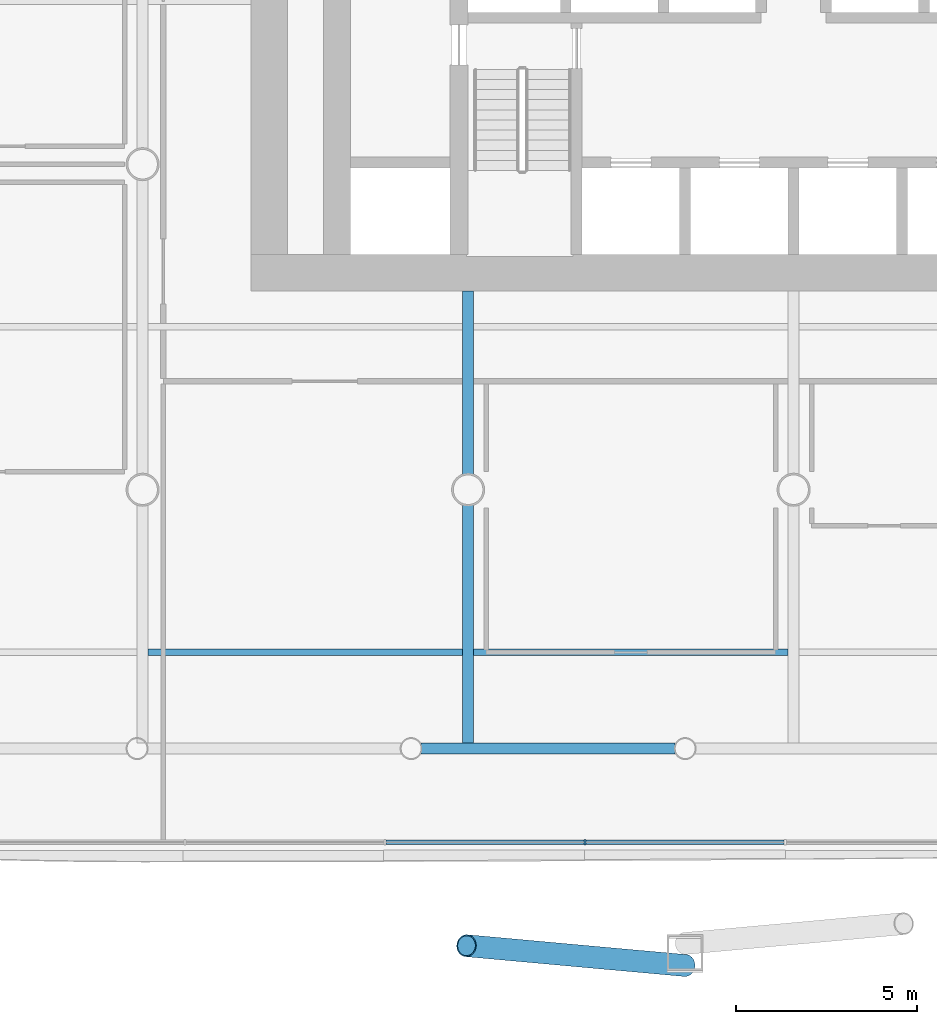
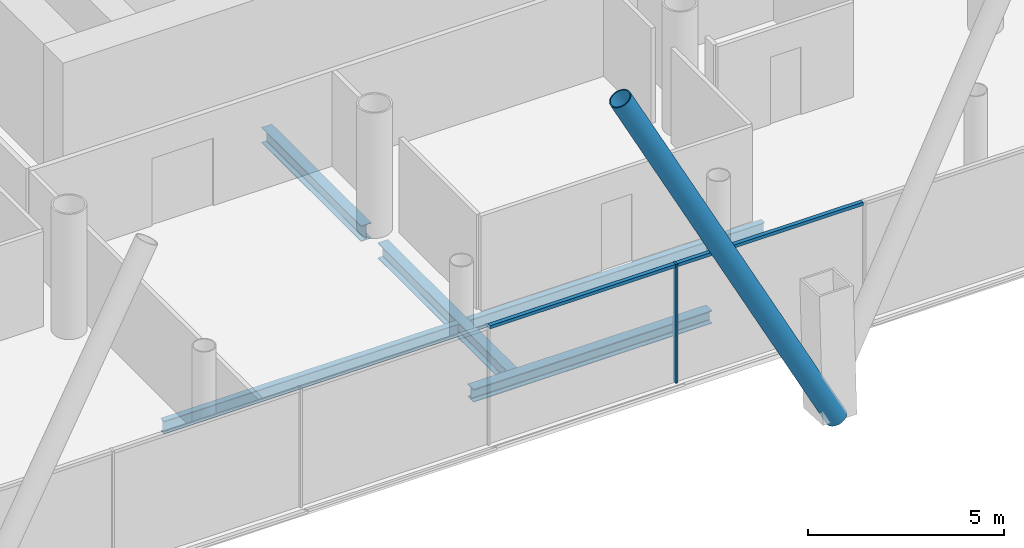
# One storey, part 4 of 25: 5 beams, 4 members, 1 element without a shape of its own.
"""IFC4 building model written with IfcOpenShell, lengths in metres."""

from ifc_helpers import new_model, si_unit, direction, frame, origin, origin_2d, place, context, subcontext, project, spatial, rectangle, hollow_circle, i_section, extrude, material, material_profile, profile_set, type_object, element, aggregate, save


model = new_model("IFC4")

# Units and contexts
model_context = context("Model", 3, precision=1e-05, world=origin(), true_north=direction((0.0, 1.0)))
body_context = subcontext(model_context, "Body", "Model", "MODEL_VIEW")
ifc_project = project(units=[si_unit("LENGTHUNIT", "METRE"), si_unit("AREAUNIT", "SQUARE_METRE"), si_unit("VOLUMEUNIT", "CUBIC_METRE"), si_unit("PLANEANGLEUNIT", "RADIAN"), si_unit("MASSUNIT", "GRAM", prefix="KILO")], contexts=[model_context])

# Site, building, storey
site_placement = place(None, origin())
site = spatial("IfcSite", under=ifc_project, at=site_placement, CompositionType="ELEMENT")
building_placement = place(site_placement, origin())
building = spatial("IfcBuilding", under=site, at=building_placement, Name="Tskaro Facet Tower", CompositionType="ELEMENT")
storey_placement = place(building_placement, frame((0.0, 0.0, 10.800048828125)))
storey = spatial("IfcBuildingStorey", under=building, at=storey_placement, Name="L01", CompositionType="ELEMENT", Elevation=10.800048828125)

# Member
ifc_material_1 = material(Name="Steel S355J2H", Category="steel")
ifc_material_profile_1 = material_profile(ifc_material_1, hollow_circle(Radius=0.304931640625, WallThickness=0.030029296875, at=origin_2d()), Name="CHS 610x30")
ifc_profile_set_1 = profile_set([ifc_material_profile_1], Name="Steel S355J2H")
member_type_1 = type_object("IfcMemberType", Name="CHS 610x30 brace", PredefinedType="BRACE", material=ifc_profile_set_1)
member_1_placement = place(storey_placement, frame((-3.0, -31.155029296875, 0.0), z_axis=(-0.458620204365, 0.041564771349, 0.887659776001), x_axis=(-0.090260117017, -0.995918225195, 0.0)))
element("IfcMember", 1, at=member_1_placement, inside=storey, type_object=member_type_1, Name="CHS 610x30 XB01B/1", PredefinedType="BRACE", context=body_context, shape_type="SweptSolid", body=[
    extrude(hollow_circle(Radius=0.304931640625, WallThickness=0.030029296875, at=origin_2d()), origin(), (0.0, 0.0, 1.0), 13.1806640625),
])

# Curtain wall, members
ifc_material_2 = material(Name="Bronze anodised aluminium 6063-T6", Category="aluminium")
curtain_wall_type = type_object("IfcCurtainWallType", Name="Bronze office curtain wall (FW1)", PredefinedType="NOTDEFINED", material=ifc_material_2)
curtain_wall_placement = place(storey_placement, origin())
curtain_wall = element("IfcCurtainWall", 2, at=curtain_wall_placement, inside=storey, type_object=curtain_wall_type, Name="FW1 south facet L01", PredefinedType="NOTDEFINED")
ifc_material_profile_2 = material_profile(ifc_material_2, rectangle(XDim=0.06005859375, YDim=0.159912109375, at=origin_2d()), Name="Mullion 60x160")
ifc_profile_set_2 = profile_set([ifc_material_profile_2], Name="Bronze anodised aluminium 6063-T6")
member_type_2 = type_object("IfcMemberType", Name="FW1 bronze mullion 60x160", PredefinedType="MULLION", material=ifc_profile_set_2)
member_2_placement = place(storey_placement, frame((-5.76611328125, -27.75, 0.0), z_axis=(0.0, 0.0, 1.0), x_axis=(1.0, 0.0, 0.0)))
member_2 = element("IfcMember", 3, at=member_2_placement, type_object=member_type_2, Name="FW1 south mullion 4", PredefinedType="MULLION", context=body_context, shape_type="SweptSolid", body=[
    extrude(rectangle(XDim=0.06005859375, YDim=0.159912109375, at=origin_2d()), origin(), (0.0, 0.0, 1.0), 3.699951171875),
])
ifc_material_profile_3 = material_profile(ifc_material_2, rectangle(XDim=0.1201171875, YDim=0.10009765625, at=origin_2d()), Name="Transom 120x100")
ifc_profile_set_3 = profile_set([ifc_material_profile_3], Name="Bronze anodised aluminium 6063-T6")
member_type_3 = type_object("IfcMemberType", Name="FW1 bronze transom 120x100", PredefinedType="USERDEFINED", material=ifc_profile_set_3)
member_3_placement = place(storey_placement, frame((-11.2685546875, -27.75, 3.64990234375), z_axis=(1.0, 0.0, 0.0), x_axis=(0.0, 1.0, 0.0)))
member_3 = element("IfcMember", 4, at=member_3_placement, type_object=member_type_3, Name="FW1 south transom 4.1", ObjectType="TRANSOM", PredefinedType="USERDEFINED", context=body_context, shape_type="SweptSolid", body=[
    extrude(rectangle(XDim=0.1201171875, YDim=0.10009765625, at=origin_2d()), origin(), (0.0, 0.0, 1.0), 5.472412109375),
])
member_4_placement = place(storey_placement, frame((-5.736328125, -27.75, 3.64990234375), z_axis=(1.0, 0.0, 0.0), x_axis=(0.0, 1.0, 0.0)))
member_4 = element("IfcMember", 5, at=member_4_placement, type_object=member_type_3, Name="FW1 south transom 5.1", ObjectType="TRANSOM", PredefinedType="USERDEFINED", context=body_context, shape_type="SweptSolid", body=[
    extrude(rectangle(XDim=0.1201171875, YDim=0.10009765625, at=origin_2d()), origin(), (0.0, 0.0, 1.0), 5.47265625),
])
aggregate(curtain_wall, [member_2, member_3, member_4])

# Beams
ifc_material_3 = material(Name="Steel S355J2", Category="steel")
ifc_material_profile_4 = material_profile(ifc_material_3, i_section(OverallWidth=0.300048828125, OverallDepth=0.39990234375, WebThickness=0.013427734375, FlangeThickness=0.02392578125, FilletRadius=0.027099609375, at=origin_2d()), Name="HE 400 B")
ifc_profile_set_4 = profile_set([ifc_material_profile_4], Name="Steel S355J2")
beam_type_1 = type_object("IfcBeamType", Name="HE 400 B ring beam", PredefinedType="BEAM", material=ifc_profile_set_4)
beam_1_placement = place(storey_placement, frame((-10.301025390625, -25.156982421875, -0.340087890625), z_axis=(1.0, 0.0, 0.0), x_axis=(0.0, 1.0, 0.0)))
element("IfcBeam", 6, at=beam_1_placement, inside=storey, type_object=beam_type_1, Name="HE 400 B EB3-1", PredefinedType="BEAM", context=body_context, shape_type="SweptSolid", body=[
    extrude(i_section(OverallWidth=0.300048828125, OverallDepth=0.39990234375, WebThickness=0.013427734375, FlangeThickness=0.02392578125, FilletRadius=0.027099609375, at=origin_2d()), origin(), (0.0, 0.0, 1.0), 7.026123046875),
])
ifc_material_profile_5 = material_profile(ifc_material_3, i_section(OverallWidth=0.300048828125, OverallDepth=0.489990234375, WebThickness=0.011962890625, FlangeThickness=0.02294921875, FilletRadius=0.027099609375, at=origin_2d()), Name="HE 500 A")
ifc_profile_set_5 = profile_set([ifc_material_profile_5], Name="Steel S355J2")
beam_type_2 = type_object("IfcBeamType", Name="HE 500 A girder", PredefinedType="BEAM", material=ifc_profile_set_5)
beam_2_placement = place(storey_placement, frame((-9.0, -25.007080078125, -0.385009765625), z_axis=(0.0, 1.0, 0.0), x_axis=(-1.0, 0.0, 0.0)))
element("IfcBeam", 7, at=beam_2_placement, inside=storey, type_object=beam_type_2, Name="HE 500 A GB3-1-1", PredefinedType="BEAM", context=body_context, shape_type="SweptSolid", body=[
    extrude(i_section(OverallWidth=0.300048828125, OverallDepth=0.489990234375, WebThickness=0.011962890625, FlangeThickness=0.02294921875, FilletRadius=0.027099609375, at=origin_2d()), origin(), (0.0, 0.0, 1.0), 6.579833984375),
])
beam_3_placement = place(storey_placement, frame((-9.0, -17.57275390625, -0.385009765625), z_axis=(0.0, 1.0, 0.0), x_axis=(-1.0, 0.0, 0.0)))
element("IfcBeam", 8, at=beam_3_placement, inside=storey, type_object=beam_type_2, Name="HE 500 A GB3-2-1", PredefinedType="BEAM", context=body_context, shape_type="SweptSolid", body=[
    extrude(i_section(OverallWidth=0.300048828125, OverallDepth=0.489990234375, WebThickness=0.011962890625, FlangeThickness=0.02294921875, FilletRadius=0.027099609375, at=origin_2d()), origin(), (0.0, 0.0, 1.0), 5.07275390625),
])
ifc_material_profile_6 = material_profile(ifc_material_3, i_section(OverallWidth=0.179931640625, OverallDepth=0.39990234375, WebThickness=0.008544921875, FlangeThickness=0.013427734375, FilletRadius=0.02099609375, at=origin_2d()), Name="IPE 400")
ifc_profile_set_6 = profile_set([ifc_material_profile_6], Name="Steel S355J2")
beam_type_3 = type_object("IfcBeamType", Name="IPE 400 secondary beam", PredefinedType="BEAM", material=ifc_profile_set_6)
for number, where, z_axis, x_axis, name in (
    (9, (-17.85009765625, -22.5, -0.340087890625), (1.0, 0.0, 0.0), (0.0, 1.0, 0.0), "IPE 400 SB1a-2-1"),
    (10, (-8.85009765625, -22.5, -0.340087890625), (1.0, 0.0, 0.0), (0.0, 1.0, 0.0), "IPE 400 SB1a-3-1"),
):
    element("IfcBeam", number, at=place(storey_placement, frame(where, z_axis=z_axis, x_axis=x_axis)), inside=storey, type_object=beam_type_3, Name=name, PredefinedType="BEAM", context=body_context, shape_type="SweptSolid", body=[
        extrude(i_section(OverallWidth=0.179931640625, OverallDepth=0.39990234375, WebThickness=0.008544921875, FlangeThickness=0.013427734375, FilletRadius=0.02099609375, at=origin_2d()), origin(), (0.0, 0.0, 1.0), 8.7001953125),
    ])

save(model, "model.ifc")
